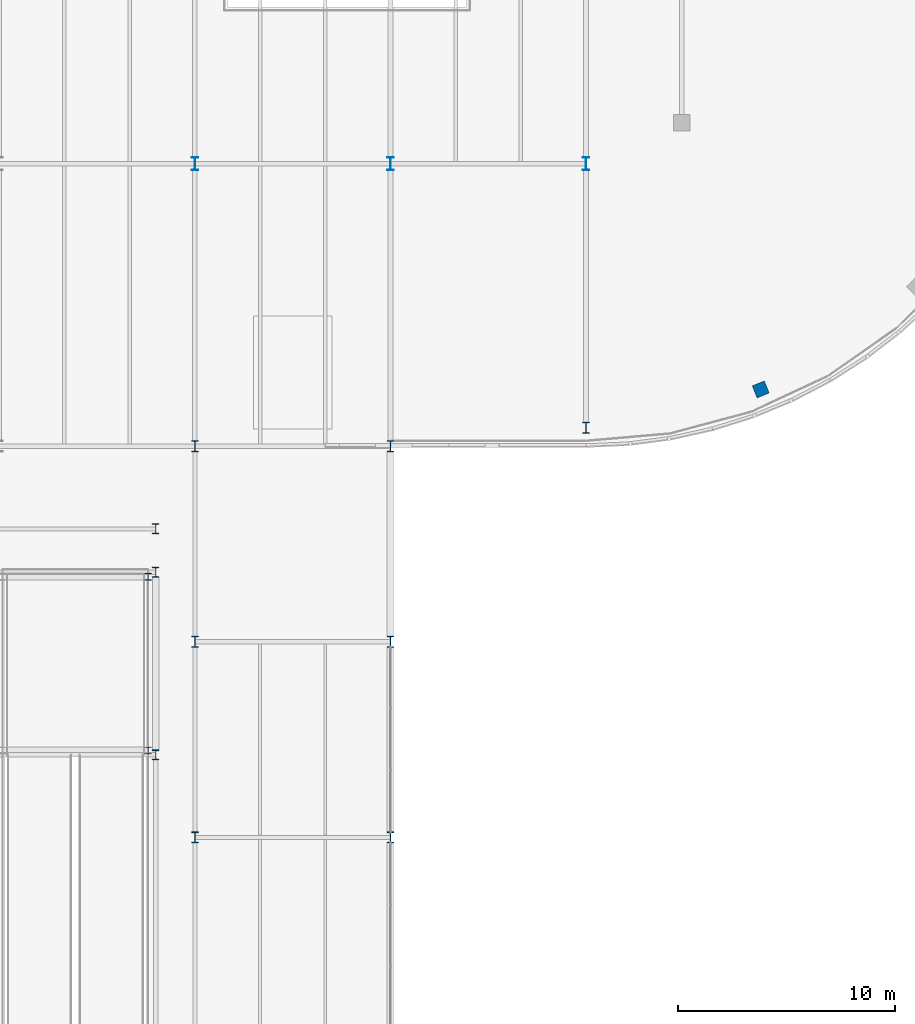
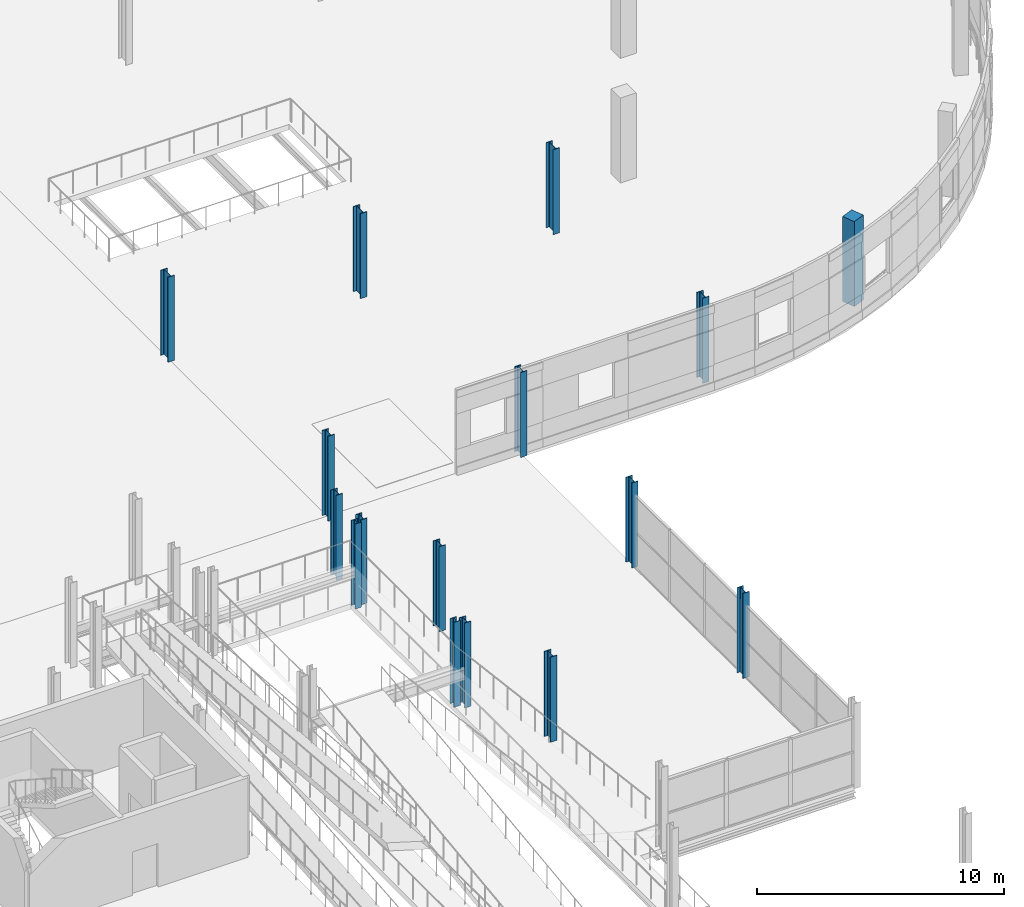
# One storey, part 7 of 103: 16 columns.
"""IFC4 building model written with IfcOpenShell, lengths in metres."""

import ifcopenshell
import ifcopenshell.guid

model = None  # the IFC model being written
_history = None  # IfcOwnerHistory: only IFC2X3 demands one
_inside = {}  # id of a spatial element -> (the spatial element, [elements in it])
_under = {}  # id of a project, library or spatial element -> (it, [spatial elements below it])
_declared = {}  # id of a project -> (the project, [libraries it declares])
_typed = {}  # id of a type object -> (the type object, [elements of that type])
_made_of = {}  # id of a material, layer set ... -> (it, [elements and type objects made of it])


def new_model(schema):
    """Start an empty IFC model of exactly this schema.

    Asked for "IFC4X3", IfcOpenShell would pick the latest addendum, in which some entities
    have other attributes; the version numbers below select the first issue.
    IFC2X3 requires an IfcOwnerHistory on every rooted entity: one is made here for all.
    """
    global model, _history
    if schema == "IFC4X3":
        model = ifcopenshell.file(schema_version=(4, 3, 0, 0))
    else:
        model = ifcopenshell.file(schema=schema)
    _inside.clear()
    _under.clear()
    _declared.clear()
    _typed.clear()
    _made_of.clear()
    _history = None
    if model.schema == "IFC2X3":
        org = make("IfcOrganization", Name="unknown")
        user = make(
            "IfcPersonAndOrganization",
            ThePerson=make("IfcPerson", FamilyName="unknown"),
            TheOrganization=org,
        )
        app = make(
            "IfcApplication",
            ApplicationDeveloper=org,
            Version="unknown",
            ApplicationFullName="unknown",
            ApplicationIdentifier="unknown",
        )
        _history = make(
            "IfcOwnerHistory",
            OwningUser=user,
            OwningApplication=app,
            ChangeAction="ADDED",
            CreationDate=0,
        )
    return model


def make(cls, **values):
    """One entity of the class cls with the attributes given. An attribute that is None is left unset."""
    return model.create_entity(
        cls, **{name: value for name, value in values.items() if value is not None}
    )


def rooted(cls, **values):
    """An entity with a GlobalId (a new one), such as an element, a storey or a relation."""
    return make(cls, GlobalId=ifcopenshell.guid.new(), OwnerHistory=_history, **values)


def si_unit(unit_type, name, prefix=None):
    """IfcSIUnit, for example si_unit("LENGTHUNIT", "METRE", prefix="MILLI")."""
    return make("IfcSIUnit", UnitType=unit_type, Prefix=prefix, Name=name)


def assignment(units):
    """IfcUnitAssignment: the units of a project."""
    return None if units is None else make("IfcUnitAssignment", Units=units)


def point(xyz):
    """IfcCartesianPoint."""
    return None if xyz is None else make("IfcCartesianPoint", Coordinates=xyz)


def direction(xyz):
    """IfcDirection."""
    return None if xyz is None else make("IfcDirection", DirectionRatios=xyz)


def frame(location, z_axis=None, x_axis=None):
    """IfcAxis2Placement3D, a coordinate frame: its origin and axes. An axis left out is left unset."""
    return make(
        "IfcAxis2Placement3D",
        Location=point(location),
        Axis=direction(z_axis),
        RefDirection=direction(x_axis),
    )


def frame_2d(location, x_axis=None):
    """IfcAxis2Placement2D, a coordinate frame in the plane: its origin and x axis."""
    return make(
        "IfcAxis2Placement2D", Location=point(location), RefDirection=direction(x_axis)
    )


def origin():
    """The frame at (0, 0, 0) with its axes left unset."""
    return frame((0.0, 0.0, 0.0))


def origin_2d():
    """The frame at (0, 0) in the plane with its x axis left unset."""
    return frame_2d((0.0, 0.0))


def place(relative_to, where):
    """IfcLocalPlacement: puts the frame where relative to a parent placement (None: the world)."""
    return make(
        "IfcLocalPlacement", PlacementRelTo=relative_to, RelativePlacement=where
    )


def context(
    kind, dimensions, precision=None, world=None, true_north=None, identifier=None
):
    """IfcGeometricRepresentationContext, for example the 3D "Model" context."""
    return make(
        "IfcGeometricRepresentationContext",
        ContextIdentifier=identifier,
        ContextType=kind,
        CoordinateSpaceDimension=dimensions,
        Precision=precision,
        WorldCoordinateSystem=world,
        TrueNorth=true_north,
    )


def subcontext(parent, identifier, kind, view, scale=None):
    """IfcGeometricRepresentationSubContext, for example "Body" below "Model"."""
    return make(
        "IfcGeometricRepresentationSubContext",
        ContextIdentifier=identifier,
        ContextType=kind,
        ParentContext=parent,
        TargetScale=scale,
        TargetView=view,
    )


def project(units=None, contexts=None):
    """IfcProject with its units and contexts."""
    return rooted(
        "IfcProject",
        Name="project",
        RepresentationContexts=contexts,
        UnitsInContext=assignment(units),
    )


def spatial(cls, under=None, at=None, **own):
    """A site, building, storey or space (cls), placed at a placement, below another one or the project."""
    s = rooted(cls, ObjectPlacement=at, **own)
    if under is not None:
        _under.setdefault(under.id(), (under, []))[1].append(s)
    return s


def profile(cls, at=None, kind="AREA", **sizes):
    """A parametric profile (cls). Its sizes go by their IFC names, for example OverallWidth=200.0."""
    return make(cls, ProfileType=kind, Position=at, **sizes)


def rectangle(**sizes):
    """IfcRectangleProfileDef."""
    return profile("IfcRectangleProfileDef", **sizes)


def i_section(**sizes):
    """IfcIShapeProfileDef."""
    return profile("IfcIShapeProfileDef", **sizes)


def extrude(swept, where, along, depth):
    """IfcExtrudedAreaSolid: the profile swept, set in the frame where, extruded along a direction by depth."""
    return make(
        "IfcExtrudedAreaSolid",
        SweptArea=swept,
        Position=where,
        ExtrudedDirection=direction(along),
        Depth=depth,
    )


def shape(context_of_items, identifier, shape_type, items):
    """IfcShapeRepresentation: the items that make up one representation, for example the "Body"."""
    return make(
        "IfcShapeRepresentation",
        ContextOfItems=context_of_items,
        RepresentationIdentifier=identifier,
        RepresentationType=shape_type,
        Items=items,
    )


def material(Name=None, Category=None):
    """IfcMaterial."""
    return make("IfcMaterial", Name=Name, Category=Category)


def material_profile(
    of_material, cross_section, Name=None, Category=None, Priority=None
):
    """IfcMaterialProfile: a cross section and its material."""
    return make(
        "IfcMaterialProfile",
        Name=Name,
        Material=of_material,
        Profile=cross_section,
        Priority=Priority,
        Category=Category,
    )


def profile_set(profiles, Name=None, composite=None):
    """IfcMaterialProfileSet."""
    return make(
        "IfcMaterialProfileSet",
        Name=Name,
        MaterialProfiles=profiles,
        CompositeProfile=composite,
    )


def made_of(thing, what):
    """Note that an element or type object is made of a material, layer set ...; save() writes the relation."""
    if what is not None:
        _made_of.setdefault(what.id(), (what, []))[1].append(thing)
    return thing


def type_object(cls, material=None, **own):
    """A type object (cls), such as IfcWallType, which elements share."""
    return made_of(rooted(cls, **own), material)


def element(
    cls,
    number,
    at=None,
    inside=None,
    cuts=None,
    type_object=None,
    material=None,
    context=None,
    identifier="Body",
    shape_type=None,
    held_by="IfcProductDefinitionShape",
    body=None,
    shapes=None,
    **own,
):
    """One element of the class cls, such as IfcWall. Its Tag is "e" and its number.

    at: its placement. inside: the storey or other place that contains it. cuts: it is an
    opening in that element (IfcRelVoidsElement). A single representation is given by context,
    identifier, shape_type and body (its items); several are given by shapes. held_by: the class
    of the entity that holds the representations. save() writes the other relations.
    """
    e = rooted(cls, Tag="e%d" % number, ObjectPlacement=at, **own)
    if body is not None:
        shapes = [shape(context, identifier, shape_type, body)]
    if shapes is not None:
        e.Representation = make(held_by, Representations=shapes)
    if inside is not None:
        _inside.setdefault(inside.id(), (inside, []))[1].append(e)
    if cuts is not None:
        rooted(
            "IfcRelVoidsElement", RelatingBuildingElement=cuts, RelatedOpeningElement=e
        )
    if type_object is not None:
        _typed.setdefault(type_object.id(), (type_object, []))[1].append(e)
    return made_of(e, material)


def aggregate(whole, parts):
    """IfcRelAggregates: a whole, such as a stair, and the parts it consists of."""
    return rooted("IfcRelAggregates", RelatingObject=whole, RelatedObjects=parts)


def save(model, path):
    """Write the relations noted so far, then the file.

    IfcRelAggregates (storeys below a building ...), IfcRelContainedInSpatialStructure (elements
    in a storey), IfcRelDefinesByType, IfcRelAssociatesMaterial and IfcRelDeclares: one each for
    every whole, place, type object, material and project.
    """
    for whole, parts in _under.values():
        aggregate(whole, parts)
    for where, things in _inside.values():
        rooted(
            "IfcRelContainedInSpatialStructure",
            RelatedElements=things,
            RelatingStructure=where,
        )
    for kind, things in _typed.values():
        rooted("IfcRelDefinesByType", RelatedObjects=things, RelatingType=kind)
    for what, things in _made_of.values():
        rooted("IfcRelAssociatesMaterial", RelatedObjects=things, RelatingMaterial=what)
    for by, libraries in _declared.values():
        rooted("IfcRelDeclares", RelatingContext=by, RelatedDefinitions=libraries)
    model.write(path)


model = new_model("IFC4")

# Units and contexts
model_context = context("Model", 3, precision=1e-05, world=origin(), true_north=direction((0.0, 1.0)))
body_context = subcontext(model_context, "Body", "Model", "MODEL_VIEW")
ifc_project = project(units=[si_unit("LENGTHUNIT", "METRE"), si_unit("AREAUNIT", "SQUARE_METRE"), si_unit("VOLUMEUNIT", "CUBIC_METRE"), si_unit("PLANEANGLEUNIT", "RADIAN"), si_unit("MASSUNIT", "GRAM", prefix="KILO")], contexts=[model_context])

# Site, building, storey
site_placement = place(None, origin())
site = spatial("IfcSite", under=ifc_project, at=site_placement, CompositionType="ELEMENT")
building_placement = place(site_placement, origin())
building = spatial("IfcBuilding", under=site, at=building_placement, Name="Deido Ridge Mobility Hub", CompositionType="ELEMENT")
storey_placement = place(building_placement, frame((0.0, 0.0, 12.60009765625)))
storey = spatial("IfcBuildingStorey", under=building, at=storey_placement, Name="L03", CompositionType="ELEMENT", Elevation=12.60009765625)

# Columns
ifc_material_1 = material(Name="Steel S355J2 EN 10025-2", Category="steel")
ifc_material_profile_1 = material_profile(ifc_material_1, i_section(OverallWidth=0.300048828125, OverallDepth=0.320068359375, WebThickness=0.011474609375, FlangeThickness=0.0205078125, FilletRadius=0.027099609375, at=origin_2d()), Name="HEB 320")
ifc_profile_set_1 = profile_set([ifc_material_profile_1], Name="Steel S355J2 EN 10025-2")
column_type_1 = type_object("IfcColumnType", Name="COL-HEB320", PredefinedType="COLUMN", material=ifc_profile_set_1)
for number, where, z_axis, x_axis, name in (
    (1, (96.85009765625, 67.0, 0.0), (0.0, 0.0, 1.0), (1.0, 0.0, 0.0), "Structural column C9"),
    (2, (96.85009765625, 75.0, 0.0), (0.0, 0.0, 1.0), (1.0, 0.0, 0.0), "Structural column C9"),
):
    element("IfcColumn", number, at=place(storey_placement, frame(where, z_axis=z_axis, x_axis=x_axis)), inside=storey, type_object=column_type_1, Name=name, PredefinedType="COLUMN", context=body_context, shape_type="SweptSolid", body=[
        extrude(i_section(OverallWidth=0.300048828125, OverallDepth=0.320068359375, WebThickness=0.011474609375, FlangeThickness=0.0205078125, FilletRadius=0.027099609375, at=origin_2d()), origin(), (0.0, 0.0, 1.0), 4.199951171875),
    ])
ifc_material_profile_2 = material_profile(ifc_material_1, i_section(OverallWidth=0.300048828125, OverallDepth=0.449951171875, WebThickness=0.013916015625, FlangeThickness=0.02587890625, FilletRadius=0.027099609375, at=origin_2d()), Name="HEB 450")
ifc_profile_set_2 = profile_set([ifc_material_profile_2], Name="Steel S355J2 EN 10025-2")
column_type_2 = type_object("IfcColumnType", Name="COL-HEB450", PredefinedType="COLUMN", material=ifc_profile_set_2)
for number, where, z_axis, x_axis, name in (
    (3, (97.199951171875, 66.800048828125, 0.0), (0.0, 0.0, 1.0), (1.0, 0.0, 0.0), "Structural column C6"),
    (4, (97.199951171875, 75.199951171875, 0.0), (0.0, 0.0, 1.0), (1.0, 0.0, 0.0), "Structural column C6"),
    (5, (97.199951171875, 77.199951171875, 0.0), (0.0, 0.0, 1.0), (1.0, 0.0, 0.0), "Structural column C6"),
):
    element("IfcColumn", number, at=place(storey_placement, frame(where, z_axis=z_axis, x_axis=x_axis)), inside=storey, type_object=column_type_2, Name=name, PredefinedType="COLUMN", context=body_context, shape_type="SweptSolid", body=[
        extrude(i_section(OverallWidth=0.300048828125, OverallDepth=0.449951171875, WebThickness=0.013916015625, FlangeThickness=0.02587890625, FilletRadius=0.027099609375, at=origin_2d()), origin(), (0.0, 0.0, 1.0), 4.199951171875),
    ])
ifc_material_profile_3 = material_profile(ifc_material_1, i_section(OverallWidth=0.300048828125, OverallDepth=0.5, WebThickness=0.014404296875, FlangeThickness=0.028076171875, FilletRadius=0.027099609375, at=origin_2d()), Name="HEB 500")
ifc_profile_set_3 = profile_set([ifc_material_profile_3], Name="Steel S355J2 EN 10025-2")
column_type_3 = type_object("IfcColumnType", Name="COL-HEB500", PredefinedType="COLUMN", material=ifc_profile_set_3)
for number, where, z_axis, x_axis, name in (
    (6, (99.0, 63.0, 0.0), (0.0, 0.0, 1.0), (1.0, 0.0, 0.0), "Structural column C5"),
    (7, (99.0, 72.0, 0.0), (0.0, 0.0, 1.0), (1.0, 0.0, 0.0), "Structural column C5"),
    (8, (99.0, 81.0, 0.0), (0.0, 0.0, 1.0), (1.0, 0.0, 0.0), "Structural column C5"),
    (9, (108.0, 63.0, 0.0), (0.0, 0.0, 1.0), (1.0, 0.0, 0.0), "Structural column C5"),
    (10, (108.0, 72.0, 0.0), (0.0, 0.0, 1.0), (1.0, 0.0, 0.0), "Structural column C5"),
    (11, (108.0, 81.0, 0.0), (0.0, 0.0, 1.0), (1.0, 0.0, 0.0), "Structural column C5"),
    (12, (117.0, 81.85009765625, 0.0), (0.0, 0.0, 1.0), (1.0, 0.0, 0.0), "Structural column C5"),
):
    element("IfcColumn", number, at=place(storey_placement, frame(where, z_axis=z_axis, x_axis=x_axis)), inside=storey, type_object=column_type_3, Name=name, PredefinedType="COLUMN", context=body_context, shape_type="SweptSolid", body=[
        extrude(i_section(OverallWidth=0.300048828125, OverallDepth=0.5, WebThickness=0.014404296875, FlangeThickness=0.028076171875, FilletRadius=0.027099609375, at=origin_2d()), origin(), (0.0, 0.0, 1.0), 4.199951171875),
    ])
ifc_material_profile_4 = material_profile(ifc_material_1, i_section(OverallWidth=0.300048828125, OverallDepth=0.60009765625, WebThickness=0.015380859375, FlangeThickness=0.030029296875, FilletRadius=0.027099609375, at=origin_2d()), Name="HEB 600")
ifc_profile_set_4 = profile_set([ifc_material_profile_4], Name="Steel S355J2 EN 10025-2")
column_type_4 = type_object("IfcColumnType", Name="COL-HEB600", PredefinedType="COLUMN", material=ifc_profile_set_4)
for number, where, z_axis, x_axis, name in (
    (13, (99.0, 94.0, 0.0), (0.0, 0.0, 1.0), (1.0, 0.0, 0.0), "Structural column C4"),
    (14, (108.0, 94.0, 0.0), (0.0, 0.0, 1.0), (1.0, 0.0, 0.0), "Structural column C4"),
    (15, (117.0, 94.0, 0.0), (0.0, 0.0, 1.0), (1.0, 0.0, 0.0), "Structural column C4"),
):
    element("IfcColumn", number, at=place(storey_placement, frame(where, z_axis=z_axis, x_axis=x_axis)), inside=storey, type_object=column_type_4, Name=name, PredefinedType="COLUMN", context=body_context, shape_type="SweptSolid", body=[
        extrude(i_section(OverallWidth=0.300048828125, OverallDepth=0.60009765625, WebThickness=0.015380859375, FlangeThickness=0.030029296875, FilletRadius=0.027099609375, at=origin_2d()), origin(), (0.0, 0.0, 1.0), 4.199951171875),
    ])
ifc_material_2 = material(Name="Concrete C40/50", Category="concrete")
ifc_material_profile_5 = material_profile(ifc_material_2, rectangle(XDim=0.60009765625, YDim=0.60009765625, at=origin_2d()), Name="RC COL 600x600")
ifc_profile_set_5 = profile_set([ifc_material_profile_5], Name="Concrete C40/50")
column_type_5 = type_object("IfcColumnType", Name="COL-RC600", PredefinedType="COLUMN", material=ifc_profile_set_5)
column_placement = place(storey_placement, frame((125.035400390625, 83.61181640625, 0.0), z_axis=(0.0, 0.0, 1.0), x_axis=(0.374606593416, -0.927183854567, 0.0)))
element("IfcColumn", 16, at=column_placement, inside=storey, type_object=column_type_5, Name="Structural column RC2", PredefinedType="COLUMN", context=body_context, shape_type="SweptSolid", body=[
    extrude(rectangle(XDim=0.60009765625, YDim=0.60009765625, at=origin_2d()), origin(), (0.0, 0.0, 1.0), 4.199951171875),
])

save(model, "model.ifc")
